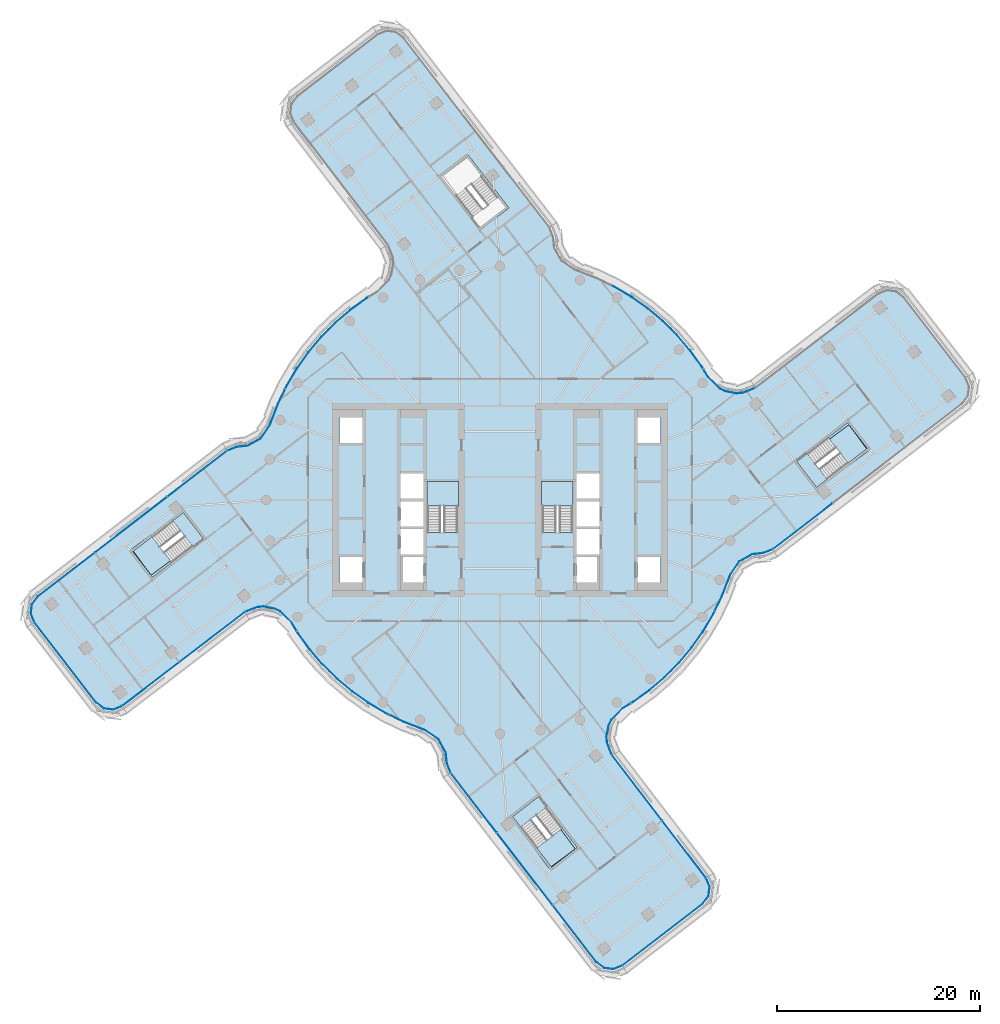
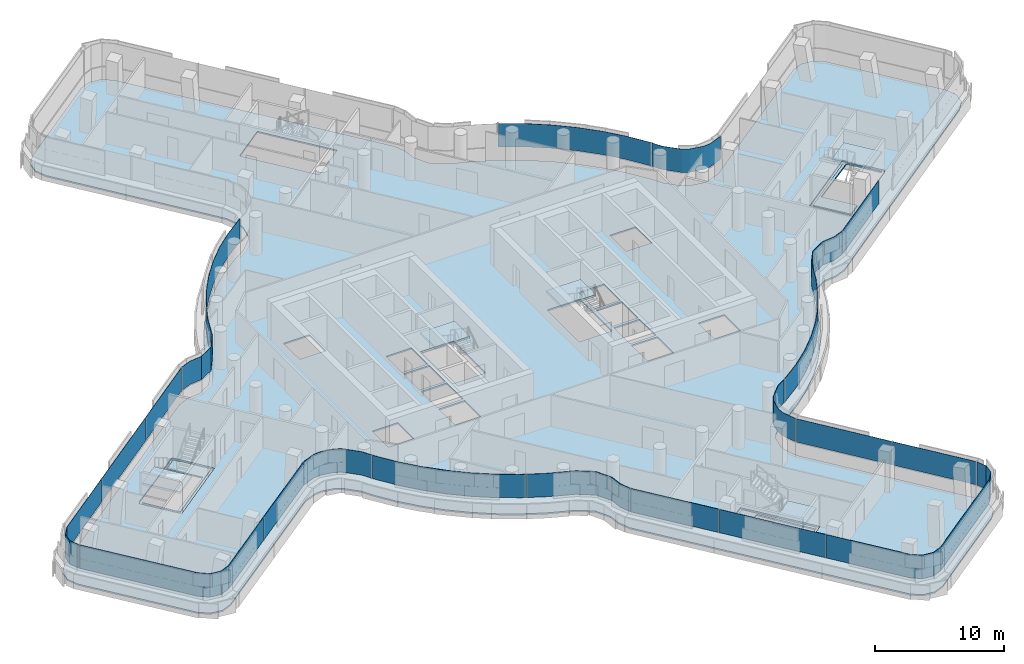
# One storey, part 18 of 33: 23 plates, 9 slabs, 16 elements without a shape of their own.
"""IFC4 building model written with IfcOpenShell, lengths in metres."""

import ifcopenshell
import ifcopenshell.guid

model = None  # the IFC model being written
_history = None  # IfcOwnerHistory: only IFC2X3 demands one
_inside = {}  # id of a spatial element -> (the spatial element, [elements in it])
_under = {}  # id of a project, library or spatial element -> (it, [spatial elements below it])
_declared = {}  # id of a project -> (the project, [libraries it declares])
_typed = {}  # id of a type object -> (the type object, [elements of that type])
_made_of = {}  # id of a material, layer set ... -> (it, [elements and type objects made of it])


def new_model(schema):
    """Start an empty IFC model of exactly this schema.

    Asked for "IFC4X3", IfcOpenShell would pick the latest addendum, in which some entities
    have other attributes; the version numbers below select the first issue.
    IFC2X3 requires an IfcOwnerHistory on every rooted entity: one is made here for all.
    """
    global model, _history
    if schema == "IFC4X3":
        model = ifcopenshell.file(schema_version=(4, 3, 0, 0))
    else:
        model = ifcopenshell.file(schema=schema)
    _inside.clear()
    _under.clear()
    _declared.clear()
    _typed.clear()
    _made_of.clear()
    _history = None
    if model.schema == "IFC2X3":
        org = make("IfcOrganization", Name="unknown")
        user = make(
            "IfcPersonAndOrganization",
            ThePerson=make("IfcPerson", FamilyName="unknown"),
            TheOrganization=org,
        )
        app = make(
            "IfcApplication",
            ApplicationDeveloper=org,
            Version="unknown",
            ApplicationFullName="unknown",
            ApplicationIdentifier="unknown",
        )
        _history = make(
            "IfcOwnerHistory",
            OwningUser=user,
            OwningApplication=app,
            ChangeAction="ADDED",
            CreationDate=0,
        )
    return model


def make(cls, **values):
    """One entity of the class cls with the attributes given. An attribute that is None is left unset."""
    return model.create_entity(
        cls, **{name: value for name, value in values.items() if value is not None}
    )


def rooted(cls, **values):
    """An entity with a GlobalId (a new one), such as an element, a storey or a relation."""
    return make(cls, GlobalId=ifcopenshell.guid.new(), OwnerHistory=_history, **values)


def si_unit(unit_type, name, prefix=None):
    """IfcSIUnit, for example si_unit("LENGTHUNIT", "METRE", prefix="MILLI")."""
    return make("IfcSIUnit", UnitType=unit_type, Prefix=prefix, Name=name)


def assignment(units):
    """IfcUnitAssignment: the units of a project."""
    return None if units is None else make("IfcUnitAssignment", Units=units)


def point(xyz):
    """IfcCartesianPoint."""
    return None if xyz is None else make("IfcCartesianPoint", Coordinates=xyz)


def direction(xyz):
    """IfcDirection."""
    return None if xyz is None else make("IfcDirection", DirectionRatios=xyz)


def frame(location, z_axis=None, x_axis=None):
    """IfcAxis2Placement3D, a coordinate frame: its origin and axes. An axis left out is left unset."""
    return make(
        "IfcAxis2Placement3D",
        Location=point(location),
        Axis=direction(z_axis),
        RefDirection=direction(x_axis),
    )


def origin():
    """The frame at (0, 0, 0) with its axes left unset."""
    return frame((0.0, 0.0, 0.0))


def place(relative_to, where):
    """IfcLocalPlacement: puts the frame where relative to a parent placement (None: the world)."""
    return make(
        "IfcLocalPlacement", PlacementRelTo=relative_to, RelativePlacement=where
    )


def context(
    kind, dimensions, precision=None, world=None, true_north=None, identifier=None
):
    """IfcGeometricRepresentationContext, for example the 3D "Model" context."""
    return make(
        "IfcGeometricRepresentationContext",
        ContextIdentifier=identifier,
        ContextType=kind,
        CoordinateSpaceDimension=dimensions,
        Precision=precision,
        WorldCoordinateSystem=world,
        TrueNorth=true_north,
    )


def subcontext(parent, identifier, kind, view, scale=None):
    """IfcGeometricRepresentationSubContext, for example "Body" below "Model"."""
    return make(
        "IfcGeometricRepresentationSubContext",
        ContextIdentifier=identifier,
        ContextType=kind,
        ParentContext=parent,
        TargetScale=scale,
        TargetView=view,
    )


def project(units=None, contexts=None):
    """IfcProject with its units and contexts."""
    return rooted(
        "IfcProject",
        Name="project",
        RepresentationContexts=contexts,
        UnitsInContext=assignment(units),
    )


def spatial(cls, under=None, at=None, **own):
    """A site, building, storey or space (cls), placed at a placement, below another one or the project."""
    s = rooted(cls, ObjectPlacement=at, **own)
    if under is not None:
        _under.setdefault(under.id(), (under, []))[1].append(s)
    return s


def polyline(points):
    """IfcPolyline through the points."""
    return make("IfcPolyline", Points=[point(p) for p in points])


def outline(outer, holes=None, kind="AREA"):
    """IfcArbitraryClosedProfileDef: a profile drawn as a closed curve; with holes, ...WithVoids."""
    if holes is None:
        return make("IfcArbitraryClosedProfileDef", ProfileType=kind, OuterCurve=outer)
    return make(
        "IfcArbitraryProfileDefWithVoids",
        ProfileType=kind,
        OuterCurve=outer,
        InnerCurves=holes,
    )


def extrude(swept, where, along, depth):
    """IfcExtrudedAreaSolid: the profile swept, set in the frame where, extruded along a direction by depth."""
    return make(
        "IfcExtrudedAreaSolid",
        SweptArea=swept,
        Position=where,
        ExtrudedDirection=direction(along),
        Depth=depth,
    )


def shape(context_of_items, identifier, shape_type, items):
    """IfcShapeRepresentation: the items that make up one representation, for example the "Body"."""
    return make(
        "IfcShapeRepresentation",
        ContextOfItems=context_of_items,
        RepresentationIdentifier=identifier,
        RepresentationType=shape_type,
        Items=items,
    )


def material(Name=None, Category=None):
    """IfcMaterial."""
    return make("IfcMaterial", Name=Name, Category=Category)


def layer(
    of_material, thickness, ventilated=None, Name=None, Category=None, Priority=None
):
    """IfcMaterialLayer: one layer of a wall or slab, of a material (None: an air gap)."""
    return make(
        "IfcMaterialLayer",
        Material=of_material,
        LayerThickness=thickness,
        IsVentilated=ventilated,
        Name=Name,
        Category=Category,
        Priority=Priority,
    )


def layer_set(layers, Name=None):
    """IfcMaterialLayerSet."""
    return make("IfcMaterialLayerSet", MaterialLayers=layers, LayerSetName=Name)


def made_of(thing, what):
    """Note that an element or type object is made of a material, layer set ...; save() writes the relation."""
    if what is not None:
        _made_of.setdefault(what.id(), (what, []))[1].append(thing)
    return thing


def type_object(cls, material=None, **own):
    """A type object (cls), such as IfcWallType, which elements share."""
    return made_of(rooted(cls, **own), material)


def element(
    cls,
    number,
    at=None,
    inside=None,
    cuts=None,
    type_object=None,
    material=None,
    context=None,
    identifier="Body",
    shape_type=None,
    held_by="IfcProductDefinitionShape",
    body=None,
    shapes=None,
    **own,
):
    """One element of the class cls, such as IfcWall. Its Tag is "e" and its number.

    at: its placement. inside: the storey or other place that contains it. cuts: it is an
    opening in that element (IfcRelVoidsElement). A single representation is given by context,
    identifier, shape_type and body (its items); several are given by shapes. held_by: the class
    of the entity that holds the representations. save() writes the other relations.
    """
    e = rooted(cls, Tag="e%d" % number, ObjectPlacement=at, **own)
    if body is not None:
        shapes = [shape(context, identifier, shape_type, body)]
    if shapes is not None:
        e.Representation = make(held_by, Representations=shapes)
    if inside is not None:
        _inside.setdefault(inside.id(), (inside, []))[1].append(e)
    if cuts is not None:
        rooted(
            "IfcRelVoidsElement", RelatingBuildingElement=cuts, RelatedOpeningElement=e
        )
    if type_object is not None:
        _typed.setdefault(type_object.id(), (type_object, []))[1].append(e)
    return made_of(e, material)


def aggregate(whole, parts):
    """IfcRelAggregates: a whole, such as a stair, and the parts it consists of."""
    return rooted("IfcRelAggregates", RelatingObject=whole, RelatedObjects=parts)


def save(model, path):
    """Write the relations noted so far, then the file.

    IfcRelAggregates (storeys below a building ...), IfcRelContainedInSpatialStructure (elements
    in a storey), IfcRelDefinesByType, IfcRelAssociatesMaterial and IfcRelDeclares: one each for
    every whole, place, type object, material and project.
    """
    for whole, parts in _under.values():
        aggregate(whole, parts)
    for where, things in _inside.values():
        rooted(
            "IfcRelContainedInSpatialStructure",
            RelatedElements=things,
            RelatingStructure=where,
        )
    for kind, things in _typed.values():
        rooted("IfcRelDefinesByType", RelatedObjects=things, RelatingType=kind)
    for what, things in _made_of.values():
        rooted("IfcRelAssociatesMaterial", RelatedObjects=things, RelatingMaterial=what)
    for by, libraries in _declared.values():
        rooted("IfcRelDeclares", RelatingContext=by, RelatedDefinitions=libraries)
    model.write(path)


model = new_model("IFC4")

# Units and contexts
model_context = context("Model", 3, precision=1e-05, world=origin(), true_north=direction((0.0, 1.0)))
body_context = subcontext(model_context, "Body", "Model", "MODEL_VIEW")
ifc_project = project(units=[si_unit("LENGTHUNIT", "METRE"), si_unit("AREAUNIT", "SQUARE_METRE"), si_unit("VOLUMEUNIT", "CUBIC_METRE"), si_unit("PLANEANGLEUNIT", "RADIAN"), si_unit("MASSUNIT", "GRAM", prefix="KILO")], contexts=[model_context])

# Site, building, storey
site_placement = place(None, origin())
site = spatial("IfcSite", under=ifc_project, at=site_placement, CompositionType="ELEMENT")
building_placement = place(site_placement, origin())
building = spatial("IfcBuilding", under=site, at=building_placement, Name="Tamarind Cross Interchange Tower", CompositionType="ELEMENT")
storey_placement = place(building_placement, frame((0.0, 0.0, 170.5)))
storey = spatial("IfcBuildingStorey", under=building, at=storey_placement, Name="L42", CompositionType="ELEMENT", Elevation=170.5)

# Slabs
ifc_material_1 = material(Name="Concrete C35", Category="concrete")
ifc_layer_1 = layer(ifc_material_1, 0.139892578125)
ifc_layer_set_1 = layer_set([ifc_layer_1], Name="Concrete C35")
slab_type_1 = type_object("IfcSlabType", Name="Composite slab 140 Concrete C35", PredefinedType="FLOOR", material=ifc_layer_set_1)
slab_1_placement = place(storey_placement, frame((0.0, 0.0, -0.139892578125)))
element("IfcSlab", 1, at=slab_1_placement, inside=storey, type_object=slab_type_1, Name="Floor slab L42", PredefinedType="FLOOR", context=body_context, shape_type="SweptSolid", body=[
    extrude(outline(polyline([(25.94921875, -5.421142578125), (26.9580078125, -5.016845703125), (45.59814453125, 9.3447265625), (46.226806640625, 10.167236328125), (46.35986328125, 11.194091796875), (45.9619140625, 12.149658203125), (39.858642578125, 20.0712890625), (39.035888671875, 20.699951171875), (38.00927734375, 20.8330078125), (37.0537109375, 20.434814453125), (24.99072265625, 11.1904296875), (23.833984375, 10.7353515625), (23.291748046875, 10.684814453125), (22.210693359375, 10.890869140625), (21.72509765625, 11.1376953125), (20.641845703125, 12.2041015625), (20.031982421875, 13.2109375), (18.87255859375, 14.820068359375), (17.584228515625, 16.327880859375), (16.17578125, 17.72412109375), (14.656982421875, 18.99951171875), (13.0380859375, 20.14501953125), (11.329833984375, 21.15283203125), (9.54443359375, 22.01611328125), (7.428955078125, 22.83642578125), (6.1923828125, 23.67529296875), (5.53466796875, 24.8837890625), (5.421142578125, 25.94921875), (5.016845703125, 26.9580078125), (-9.3447265625, 45.59814453125), (-10.167236328125, 46.226806640625), (-11.194091796875, 46.35986328125), (-12.149658203125, 45.9619140625), (-20.0712890625, 39.858642578125), (-20.699951171875, 39.035888671875), (-20.8330078125, 38.00927734375), (-20.434814453125, 37.0537109375), (-11.1904296875, 24.99072265625), (-10.7353515625, 23.833984375), (-10.684814453125, 23.291748046875), (-10.890869140625, 22.210693359375), (-11.1376953125, 21.72509765625), (-12.2041015625, 20.641845703125), (-13.2109375, 20.031982421875), (-14.820068359375, 18.87255859375), (-16.327880859375, 17.584228515625), (-17.72412109375, 16.17578125), (-18.99951171875, 14.656982421875), (-20.14501953125, 13.0380859375), (-21.15283203125, 11.329833984375), (-22.01611328125, 9.54443359375), (-22.83642578125, 7.428955078125), (-23.67529296875, 6.1923828125), (-24.8837890625, 5.53466796875), (-25.94921875, 5.421142578125), (-26.9580078125, 5.016845703125), (-45.59814453125, -9.3447265625), (-46.226806640625, -10.167236328125), (-46.35986328125, -11.194091796875), (-45.9619140625, -12.149658203125), (-39.858642578125, -20.0712890625), (-39.035888671875, -20.699951171875), (-38.00927734375, -20.8330078125), (-37.0537109375, -20.434814453125), (-24.99072265625, -11.1904296875), (-23.833984375, -10.7353515625), (-23.291748046875, -10.684814453125), (-22.210693359375, -10.890869140625), (-21.72509765625, -11.1376953125), (-20.641845703125, -12.2041015625), (-20.031982421875, -13.2109375), (-18.87255859375, -14.820068359375), (-17.584228515625, -16.327880859375), (-16.17578125, -17.72412109375), (-14.656982421875, -18.99951171875), (-13.0380859375, -20.14501953125), (-11.329833984375, -21.15283203125), (-9.54443359375, -22.01611328125), (-7.428955078125, -22.83642578125), (-6.1923828125, -23.67529296875), (-5.53466796875, -24.8837890625), (-5.421142578125, -25.94921875), (-5.016845703125, -26.9580078125), (9.3447265625, -45.59814453125), (10.167236328125, -46.226806640625), (11.194091796875, -46.35986328125), (12.149658203125, -45.9619140625), (20.0712890625, -39.858642578125), (20.699951171875, -39.035888671875), (20.8330078125, -38.00927734375), (20.434814453125, -37.0537109375), (11.1904296875, -24.99072265625), (10.7353515625, -23.833984375), (10.684814453125, -23.291748046875), (10.890869140625, -22.210693359375), (11.1376953125, -21.72509765625), (12.2041015625, -20.641845703125), (13.2109375, -20.031982421875), (14.820068359375, -18.87255859375), (16.327880859375, -17.584228515625), (17.72412109375, -16.17578125), (18.99951171875, -14.656982421875), (20.14501953125, -13.0380859375), (21.15283203125, -11.329833984375), (22.01611328125, -9.54443359375), (22.83642578125, -7.428955078125), (23.67529296875, -6.1923828125), (24.8837890625, -5.53466796875), (25.94921875, -5.421142578125)]), holes=[polyline([(-7.5, -8.125), (-9.800048828125, -8.125), (-9.800048828125, -5.625), (-7.5, -5.625), (-7.5, -8.125)]), polyline([(-13.5, -8.125), (-15.800048828125, -8.125), (-15.800048828125, -5.625), (-13.5, -5.625), (-13.5, -8.125)]), polyline([(-34.218505859375, -7.899169921875), (-34.3408203125, -7.74072265625), (-36.293701171875, -5.205810546875), (-36.415771484375, -5.04736328125), (-36.18994140625, -4.873291015625), (-36.2255859375, -4.8251953125), (-33.58349609375, -2.865234375), (-31.1083984375, -0.958251953125), (-30.986328125, -1.11669921875), (-29.033203125, -3.651611328125), (-28.9111328125, -3.809814453125), (-34.218505859375, -7.899169921875)]), polyline([(-7.5, -5.375), (-9.800048828125, -5.375), (-9.800048828125, -2.875), (-7.5, -2.875), (-7.5, -5.375)]), polyline([(-7.5, -2.625), (-9.800048828125, -2.625), (-9.800048828125, -0.125), (-7.5, -0.125), (-7.5, -2.625)]), polyline([(-4.199951171875, 1.800048828125), (-4.199951171875, -3.18798828125), (-7.14990234375, -3.18798828125), (-7.14990234375, 1.800048828125), (-4.199951171875, 1.800048828125)]), polyline([(-7.5, 0.125), (-9.800048828125, 0.125), (-9.800048828125, 2.625), (-7.5, 2.625), (-7.5, 0.125)]), polyline([(-13.5, 5.625), (-15.800048828125, 5.625), (-15.800048828125, 8.125), (-13.5, 8.125), (-13.5, 5.625)]), polyline([(0.872802734375, 28.73193359375), (0.71435546875, 28.60986328125), (-1.820556640625, 26.65673828125), (-1.97900390625, 26.53466796875), (-6.068115234375, 31.842041015625), (-5.90966796875, 31.964111328125), (-3.374755859375, 33.917236328125), (-3.21630859375, 34.039306640625), (-3.0419921875, 33.81298828125), (-3.037841796875, 33.816162109375), (-2.865234375, 33.58349609375), (0.872802734375, 28.73193359375)]), polyline([(7.899169921875, -34.218505859375), (7.74072265625, -34.3408203125), (5.205810546875, -36.293701171875), (5.04736328125, -36.415771484375), (4.873291015625, -36.18994140625), (4.8251953125, -36.2255859375), (2.865234375, -33.58349609375), (0.958251953125, -31.1083984375), (1.11669921875, -30.986328125), (3.651611328125, -29.033203125), (3.809814453125, -28.9111328125), (7.899169921875, -34.218505859375)]), polyline([(13.5, -5.625), (15.800048828125, -5.625), (15.800048828125, -8.125), (13.5, -8.125), (13.5, -5.625)]), polyline([(7.5, -5.625), (9.800048828125, -5.625), (9.800048828125, -8.125), (7.5, -8.125), (7.5, -5.625)]), polyline([(7.5, -2.875), (9.800048828125, -2.875), (9.800048828125, -5.375), (7.5, -5.375), (7.5, -2.875)]), polyline([(7.5, -0.125), (9.800048828125, -0.125), (9.800048828125, -2.625), (7.5, -2.625), (7.5, -0.125)]), polyline([(7.14990234375, 1.800048828125), (7.14990234375, -3.18798828125), (4.199951171875, -3.18798828125), (4.199951171875, 1.800048828125), (7.14990234375, 1.800048828125)]), polyline([(7.5, 2.625), (9.800048828125, 2.625), (9.800048828125, 0.125), (7.5, 0.125), (7.5, 2.625)]), polyline([(34.218505859375, 7.899169921875), (34.3408203125, 7.74072265625), (36.293701171875, 5.205810546875), (36.415771484375, 5.04736328125), (36.18994140625, 4.873291015625), (36.2255859375, 4.8251953125), (33.58349609375, 2.865234375), (31.1083984375, 0.958251953125), (30.986328125, 1.11669921875), (29.033203125, 3.651611328125), (28.9111328125, 3.809814453125), (34.218505859375, 7.899169921875)]), polyline([(15.800048828125, 8.125), (15.800048828125, 5.625), (13.5, 5.625), (13.5, 8.125), (15.800048828125, 8.125)])]), origin(), (0.0, 0.0, 1.0), 0.139892578125),
])
slab_2_placement = place(storey_placement, frame((0.0, 0.0, -0.139892578125)))
element("IfcSlab", 2, at=slab_2_placement, inside=storey, type_object=slab_type_1, Name="Floor slab L42", PredefinedType="FLOOR", context=body_context, shape_type="SweptSolid", body=[
    extrude(outline(polyline([(-29.191650390625, -3.773681640625), (-31.144775390625, -1.23876953125), (-32.118896484375, -1.9892578125), (-32.18408203125, -2.039306640625), (-30.334716796875, -4.439697265625), (-34.319091796875, -7.395263671875), (-36.07080078125, -5.033935546875), (-36.13525390625, -5.083740234375), (-34.18212890625, -7.61865234375), (-29.191650390625, -3.773681640625)])), origin(), (0.0, 0.0, 1.0), 0.139892578125),
])
slab_3_placement = place(storey_placement, frame((0.0, 0.0, -0.139892578125)))
element("IfcSlab", 3, at=slab_3_placement, inside=storey, type_object=slab_type_1, Name="Floor slab L42", PredefinedType="FLOOR", context=body_context, shape_type="SweptSolid", body=[
    extrude(outline(polyline([(3.773681640625, -29.191650390625), (1.23876953125, -31.144775390625), (1.9892578125, -32.118896484375), (2.039306640625, -32.18408203125), (4.439697265625, -30.334716796875), (7.395263671875, -34.319091796875), (5.033935546875, -36.07080078125), (5.083740234375, -36.13525390625), (7.61865234375, -34.18212890625), (3.773681640625, -29.191650390625)])), origin(), (0.0, 0.0, 1.0), 0.139892578125),
])
slab_4_placement = place(storey_placement, frame((0.0, 0.0, -0.139892578125)))
element("IfcSlab", 4, at=slab_4_placement, inside=storey, type_object=slab_type_1, Name="Floor slab L42", PredefinedType="FLOOR", context=body_context, shape_type="SweptSolid", body=[
    extrude(outline(polyline([(29.191650390625, 3.773681640625), (31.144775390625, 1.23876953125), (32.118896484375, 1.9892578125), (32.18408203125, 2.039306640625), (30.334716796875, 4.439697265625), (34.319091796875, 7.395263671875), (36.07080078125, 5.033935546875), (36.13525390625, 5.083740234375), (34.18212890625, 7.61865234375), (29.191650390625, 3.773681640625)])), origin(), (0.0, 0.0, 1.0), 0.139892578125),
])

# Stair, slab
ifc_material_2 = material(Name="Exit stair")
stair_type = type_object("IfcStairType", Name="Exit stair", PredefinedType="HALF_TURN_STAIR", material=ifc_material_2)
stair_1_placement = place(storey_placement, origin())
stair_1 = element("IfcStair", 5, at=stair_1_placement, inside=storey, type_object=stair_type, Name="L42 exit stair ST1", PredefinedType="HALF_TURN_STAIR")
ifc_material_3 = material(Name="Concrete C40", Category="concrete")
ifc_layer_2 = layer(ifc_material_3, 0.199951171875)
ifc_layer_set_2 = layer_set([ifc_layer_2], Name="Concrete C40")
slab_type_2 = type_object("IfcSlabType", Name="Stair landing", PredefinedType="LANDING", material=ifc_layer_set_2)
slab_5_placement = place(storey_placement, frame((0.0, 0.0, 1.675048828125)))
slab_5 = element("IfcSlab", 6, at=slab_5_placement, type_object=slab_type_2, Name="ST1 landing 1", PredefinedType="LANDING", context=body_context, shape_type="SweptSolid", body=[
    extrude(outline(polyline([(-4.10009765625, -0.60009765625), (-4.10009765625, 1.800048828125), (-7.199951171875, 1.800048828125), (-7.199951171875, -0.60009765625), (-4.10009765625, -0.60009765625)])), origin(), (0.0, 0.0, 1.0), 0.199951171875),
])
aggregate(stair_1, [slab_5])

stair_2_placement = place(storey_placement, origin())
stair_2 = element("IfcStair", 7, at=stair_2_placement, inside=storey, type_object=stair_type, Name="L42 exit stair ST2", PredefinedType="HALF_TURN_STAIR")
slab_6_placement = place(storey_placement, frame((0.0, 0.0, 1.675048828125)))
slab_6 = element("IfcSlab", 8, at=slab_6_placement, type_object=slab_type_2, Name="ST2 landing 1", PredefinedType="LANDING", context=body_context, shape_type="SweptSolid", body=[
    extrude(outline(polyline([(7.199951171875, -0.60009765625), (7.199951171875, 1.800048828125), (4.10009765625, 1.800048828125), (4.10009765625, -0.60009765625), (7.199951171875, -0.60009765625)])), origin(), (0.0, 0.0, 1.0), 0.199951171875),
])
aggregate(stair_2, [slab_6])

stair_3_placement = place(storey_placement, origin())
stair_3 = element("IfcStair", 9, at=stair_3_placement, inside=storey, type_object=stair_type, Name="L42 exit stair ST3", PredefinedType="HALF_TURN_STAIR")
slab_7_placement = place(storey_placement, frame((0.0, 0.0, 1.675048828125)))
slab_7 = element("IfcSlab", 10, at=slab_7_placement, type_object=slab_type_2, Name="ST3 landing 1", PredefinedType="LANDING", context=body_context, shape_type="SweptSolid", body=[
    extrude(outline(polyline([(34.224609375, 3.611572265625), (36.13525390625, 5.083740234375), (34.18212890625, 7.61865234375), (32.271484375, 6.146484375), (34.224609375, 3.611572265625)])), origin(), (0.0, 0.0, 1.0), 0.199951171875),
])
aggregate(stair_3, [slab_7])

stair_4_placement = place(storey_placement, origin())
stair_4 = element("IfcStair", 11, at=stair_4_placement, inside=storey, type_object=stair_type, Name="L42 exit stair ST5", PredefinedType="HALF_TURN_STAIR")
slab_8_placement = place(storey_placement, frame((0.0, 0.0, 1.675048828125)))
slab_8 = element("IfcSlab", 12, at=slab_8_placement, type_object=slab_type_2, Name="ST5 landing 1", PredefinedType="LANDING", context=body_context, shape_type="SweptSolid", body=[
    extrude(outline(polyline([(-34.224609375, -3.611572265625), (-36.13525390625, -5.083740234375), (-34.18212890625, -7.61865234375), (-32.271484375, -6.146484375), (-34.224609375, -3.611572265625)])), origin(), (0.0, 0.0, 1.0), 0.199951171875),
])
aggregate(stair_4, [slab_8])

stair_5_placement = place(storey_placement, origin())
stair_5 = element("IfcStair", 13, at=stair_5_placement, inside=storey, type_object=stair_type, Name="L42 exit stair ST6", PredefinedType="HALF_TURN_STAIR")
slab_9_placement = place(storey_placement, frame((0.0, 0.0, 1.675048828125)))
slab_9 = element("IfcSlab", 14, at=slab_9_placement, type_object=slab_type_2, Name="ST6 landing 1", PredefinedType="LANDING", context=body_context, shape_type="SweptSolid", body=[
    extrude(outline(polyline([(3.611572265625, -34.224609375), (5.083740234375, -36.13525390625), (7.61865234375, -34.18212890625), (6.146484375, -32.271484375), (3.611572265625, -34.224609375)])), origin(), (0.0, 0.0, 1.0), 0.199951171875),
])
aggregate(stair_5, [slab_9])

# Curtain wall, plates
ifc_material_4 = material(Name="Aluminium 6063-T6", Category="aluminium")
ifc_layer_3 = layer(ifc_material_4, 0.159912109375)
ifc_layer_set_3 = layer_set([ifc_layer_3], Name="Aluminium 6063-T6")
curtain_wall_type = type_object("IfcCurtainWallType", Name="Office curtain wall, 9.0 m bays", PredefinedType="NOTDEFINED", material=ifc_layer_set_3)
curtain_wall_1_placement = place(storey_placement, origin())
curtain_wall_1 = element("IfcCurtainWall", 15, at=curtain_wall_1_placement, inside=storey, type_object=curtain_wall_type, Name="CWS-L42-02", PredefinedType="NOTDEFINED")
ifc_material_5 = material(Name="Laminated low-e glass 8+1.52+8", Category="glass")
ifc_layer_4 = layer(ifc_material_5, 0.028076171875)
ifc_layer_set_4 = layer_set([ifc_layer_4], Name="Laminated low-e glass 8+1.52+8")
plate_type = type_object("IfcPlateType", Name="Vision panel CW1", PredefinedType="CURTAIN_PANEL", material=ifc_layer_set_4)
plate_1_placement = place(storey_placement, frame((0.0, 0.0, 1.39990234375)))
plate_1 = element("IfcPlate", 16, at=plate_1_placement, type_object=plate_type, Name="CWP-L42-02-00", PredefinedType="CURTAIN_PANEL", context=body_context, shape_type="SweptSolid", body=[
    extrude(outline(polyline([(25.0673828125, 10.99072265625), (23.88427734375, 10.525146484375), (23.281494140625, 10.46875), (22.140869140625, 10.6865234375), (21.5986328125, 10.9619140625), (20.47265625, 12.0703125), (19.9931640625, 12.862060546875), (20.01708984375, 12.87646484375), (20.49462890625, 12.087890625), (21.614990234375, 10.98486328125), (22.14990234375, 10.713134765625), (23.28271484375, 10.4970703125), (23.877685546875, 10.552734375), (25.05712890625, 11.0166015625), (25.0673828125, 10.99072265625)])), origin(), (0.0, 0.0, 1.0), 2.210205078125),
])
plate_2_placement = place(storey_placement, frame((0.0, 0.0, 1.39990234375)))
plate_2 = element("IfcPlate", 17, at=plate_2_placement, type_object=plate_type, Name="CWP-L42-02-01", PredefinedType="CURTAIN_PANEL", context=body_context, shape_type="SweptSolid", body=[
    extrude(outline(polyline([(19.9619140625, 12.913330078125), (19.853271484375, 13.0927734375), (18.7041015625, 14.687744140625), (17.42724609375, 16.18212890625), (16.031494140625, 17.56591796875), (14.526123046875, 18.829833984375), (12.921630859375, 19.965087890625), (11.228759765625, 20.9638671875), (10.94482421875, 21.101318359375), (10.95703125, 21.12646484375), (11.241943359375, 20.98876953125), (12.936767578125, 19.988525390625), (14.543212890625, 18.85205078125), (16.05029296875, 17.586669921875), (17.44775390625, 16.201171875), (18.72607421875, 14.705078125), (19.876708984375, 13.108154296875), (19.98583984375, 12.927978515625), (19.9619140625, 12.913330078125)])), origin(), (0.0, 0.0, 1.0), 2.210205078125),
])
aggregate(curtain_wall_1, [plate_1, plate_2])

curtain_wall_2_placement = place(storey_placement, origin())
curtain_wall_2 = element("IfcCurtainWall", 18, at=curtain_wall_2_placement, inside=storey, type_object=curtain_wall_type, Name="CWS-L42-06", PredefinedType="NOTDEFINED")
plate_3_placement = place(storey_placement, frame((0.0, 0.0, 1.39990234375)))
plate_3 = element("IfcPlate", 19, at=plate_3_placement, type_object=plate_type, Name="CWP-L42-06-01", PredefinedType="CURTAIN_PANEL", context=body_context, shape_type="SweptSolid", body=[
    extrude(outline(polyline([(-12.913330078125, 19.9619140625), (-13.0927734375, 19.853271484375), (-14.687744140625, 18.7041015625), (-16.18212890625, 17.42724609375), (-17.56591796875, 16.031494140625), (-18.829833984375, 14.526123046875), (-19.965087890625, 12.921630859375), (-20.9638671875, 11.228759765625), (-21.101318359375, 10.94482421875), (-21.12646484375, 10.95703125), (-20.98876953125, 11.241943359375), (-19.988525390625, 12.936767578125), (-18.85205078125, 14.543212890625), (-17.586669921875, 16.05029296875), (-16.201171875, 17.44775390625), (-14.705078125, 18.72607421875), (-13.108154296875, 19.876708984375), (-12.927978515625, 19.98583984375), (-12.913330078125, 19.9619140625)])), origin(), (0.0, 0.0, 1.0), 2.210205078125),
])
plate_4_placement = place(storey_placement, frame((0.0, 0.0, 1.39990234375)))
plate_4 = element("IfcPlate", 20, at=plate_4_placement, type_object=plate_type, Name="CWP-L42-06-02", PredefinedType="CURTAIN_PANEL", context=body_context, shape_type="SweptSolid", body=[
    extrude(outline(polyline([(-21.12744140625, 10.890869140625), (-21.81982421875, 9.458984375), (-22.645751953125, 7.328857421875), (-23.52734375, 6.029296875), (-24.81884765625, 5.326416015625), (-25.89697265625, 5.211669921875), (-26.82470703125, 4.839599609375), (-26.835205078125, 4.86572265625), (-25.90380859375, 5.239013671875), (-24.827392578125, 5.353759765625), (-23.546630859375, 6.05078125), (-22.670654296875, 7.342041015625), (-21.845458984375, 9.47021484375), (-21.152587890625, 10.903076171875), (-21.12744140625, 10.890869140625)])), origin(), (0.0, 0.0, 1.0), 2.210205078125),
])
aggregate(curtain_wall_2, [plate_3, plate_4])

curtain_wall_3_placement = place(storey_placement, origin())
curtain_wall_3 = element("IfcCurtainWall", 21, at=curtain_wall_3_placement, inside=storey, type_object=curtain_wall_type, Name="CWS-L42-07", PredefinedType="NOTDEFINED")
plate_5_placement = place(storey_placement, frame((0.0, 0.0, 1.39990234375)))
plate_5 = element("IfcPlate", 22, at=plate_5_placement, type_object=plate_type, Name="CWP-L42-07-00", PredefinedType="CURTAIN_PANEL", context=body_context, shape_type="SweptSolid", body=[
    extrude(outline(polyline([(-26.873046875, 4.81201171875), (-32.701171875, 0.32177734375), (-32.71826171875, 0.343994140625), (-26.89013671875, 4.834228515625), (-26.873046875, 4.81201171875)])), origin(), (0.0, 0.0, 1.0), 2.210205078125),
])
plate_6_placement = place(storey_placement, frame((0.0, 0.0, 1.39990234375)))
plate_6 = element("IfcPlate", 23, at=plate_6_placement, type_object=plate_type, Name="CWP-L42-07-01", PredefinedType="CURTAIN_PANEL", context=body_context, shape_type="SweptSolid", body=[
    extrude(outline(polyline([(-32.748779296875, 0.28515625), (-39.814208984375, -5.158447265625), (-39.831298828125, -5.136474609375), (-32.765869140625, 0.307373046875), (-32.748779296875, 0.28515625)])), origin(), (0.0, 0.0, 1.0), 2.210205078125),
])
plate_7_placement = place(storey_placement, frame((0.0, 0.0, 1.39990234375)))
plate_7 = element("IfcPlate", 24, at=plate_7_placement, type_object=plate_type, Name="CWP-L42-07-02", PredefinedType="CURTAIN_PANEL", context=body_context, shape_type="SweptSolid", body=[
    extrude(outline(polyline([(-39.861572265625, -5.195068359375), (-45.4453125, -9.4970703125), (-46.02197265625, -10.251708984375), (-46.140380859375, -11.16455078125), (-45.785888671875, -12.015380859375), (-45.811767578125, -12.026123046875), (-46.1689453125, -11.16845703125), (-46.048828125, -10.24072265625), (-45.46533203125, -9.47705078125), (-39.878662109375, -5.173095703125), (-39.861572265625, -5.195068359375)])), origin(), (0.0, 0.0, 1.0), 2.210205078125),
])
aggregate(curtain_wall_3, [plate_5, plate_6, plate_7])

# Curtain wall, plate
curtain_wall_4_placement = place(storey_placement, origin())
curtain_wall_4 = element("IfcCurtainWall", 25, at=curtain_wall_4_placement, inside=storey, type_object=curtain_wall_type, Name="CWS-L42-08", PredefinedType="NOTDEFINED")
plate_8_placement = place(storey_placement, frame((0.0, 0.0, 1.39990234375)))
plate_8 = element("IfcPlate", 26, at=plate_8_placement, type_object=plate_type, Name="CWP-L42-08-00", PredefinedType="CURTAIN_PANEL", context=body_context, shape_type="SweptSolid", body=[
    extrude(outline(polyline([(-45.7578125, -12.063720703125), (-39.706298828125, -19.918212890625), (-38.95166015625, -20.4951171875), (-38.03857421875, -20.61328125), (-37.187744140625, -20.2587890625), (-37.177001953125, -20.28466796875), (-38.034912109375, -20.64208984375), (-38.962646484375, -20.521728515625), (-39.726318359375, -19.938232421875), (-45.780029296875, -12.080810546875), (-45.7578125, -12.063720703125)])), origin(), (0.0, 0.0, 1.0), 2.210205078125),
])
aggregate(curtain_wall_4, [plate_8])

# Curtain wall, plates
curtain_wall_5_placement = place(storey_placement, origin())
curtain_wall_5 = element("IfcCurtainWall", 27, at=curtain_wall_5_placement, inside=storey, type_object=curtain_wall_type, Name="CWS-L42-09", PredefinedType="NOTDEFINED")
plate_9_placement = place(storey_placement, frame((0.0, 0.0, 1.39990234375)))
plate_9 = element("IfcPlate", 28, at=plate_9_placement, type_object=plate_type, Name="CWP-L42-09-00", PredefinedType="CURTAIN_PANEL", context=body_context, shape_type="SweptSolid", body=[
    extrude(outline(polyline([(-37.139404296875, -20.23095703125), (-31.553466796875, -15.9501953125), (-31.536376953125, -15.972412109375), (-37.122314453125, -20.253173828125), (-37.139404296875, -20.23095703125)])), origin(), (0.0, 0.0, 1.0), 2.210205078125),
])
plate_10_placement = place(storey_placement, frame((0.0, 0.0, 1.39990234375)))
plate_10 = element("IfcPlate", 29, at=plate_10_placement, type_object=plate_type, Name="CWP-L42-09-01", PredefinedType="CURTAIN_PANEL", context=body_context, shape_type="SweptSolid", body=[
    extrude(outline(polyline([(-31.505615234375, -15.91357421875), (-25.12255859375, -11.021728515625), (-25.10546875, -11.0439453125), (-31.48876953125, -15.935791015625), (-31.505615234375, -15.91357421875)])), origin(), (0.0, 0.0, 1.0), 2.210205078125),
])
aggregate(curtain_wall_5, [plate_9, plate_10])

curtain_wall_6_placement = place(storey_placement, origin())
curtain_wall_6 = element("IfcCurtainWall", 30, at=curtain_wall_6_placement, inside=storey, type_object=curtain_wall_type, Name="CWS-L42-10", PredefinedType="NOTDEFINED")
plate_11_placement = place(storey_placement, frame((0.0, 0.0, 1.39990234375)))
plate_11 = element("IfcPlate", 31, at=plate_11_placement, type_object=plate_type, Name="CWP-L42-10-00", PredefinedType="CURTAIN_PANEL", context=body_context, shape_type="SweptSolid", body=[
    extrude(outline(polyline([(-25.0673828125, -10.99072265625), (-23.88427734375, -10.525146484375), (-23.281494140625, -10.46875), (-22.140869140625, -10.6865234375), (-21.5986328125, -10.9619140625), (-20.47265625, -12.0703125), (-19.9931640625, -12.862060546875), (-20.01708984375, -12.87646484375), (-20.49462890625, -12.087890625), (-21.614990234375, -10.98486328125), (-22.14990234375, -10.713134765625), (-23.28271484375, -10.4970703125), (-23.877685546875, -10.552734375), (-25.05712890625, -11.0166015625), (-25.0673828125, -10.99072265625)])), origin(), (0.0, 0.0, 1.0), 2.210205078125),
])
plate_12_placement = place(storey_placement, frame((0.0, 0.0, 1.39990234375)))
plate_12 = element("IfcPlate", 32, at=plate_12_placement, type_object=plate_type, Name="CWP-L42-10-01", PredefinedType="CURTAIN_PANEL", context=body_context, shape_type="SweptSolid", body=[
    extrude(outline(polyline([(-19.9619140625, -12.913330078125), (-19.853271484375, -13.0927734375), (-18.7041015625, -14.687744140625), (-17.42724609375, -16.18212890625), (-16.031494140625, -17.56591796875), (-14.526123046875, -18.829833984375), (-12.921630859375, -19.965087890625), (-11.228759765625, -20.9638671875), (-10.94482421875, -21.101318359375), (-10.95703125, -21.12646484375), (-11.241943359375, -20.98876953125), (-12.936767578125, -19.988525390625), (-14.543212890625, -18.85205078125), (-16.05029296875, -17.586669921875), (-17.44775390625, -16.201171875), (-18.72607421875, -14.705078125), (-19.876708984375, -13.108154296875), (-19.98583984375, -12.927978515625), (-19.9619140625, -12.913330078125)])), origin(), (0.0, 0.0, 1.0), 2.210205078125),
])
plate_13_placement = place(storey_placement, frame((0.0, 0.0, 1.39990234375)))
plate_13 = element("IfcPlate", 33, at=plate_13_placement, type_object=plate_type, Name="CWP-L42-10-02", PredefinedType="CURTAIN_PANEL", context=body_context, shape_type="SweptSolid", body=[
    extrude(outline(polyline([(-10.890869140625, -21.12744140625), (-9.458984375, -21.81982421875), (-7.328857421875, -22.645751953125), (-6.029296875, -23.52734375), (-5.326416015625, -24.81884765625), (-5.211669921875, -25.89697265625), (-4.839599609375, -26.82470703125), (-4.86572265625, -26.835205078125), (-5.239013671875, -25.90380859375), (-5.353759765625, -24.827392578125), (-6.05078125, -23.546630859375), (-7.342041015625, -22.670654296875), (-9.47021484375, -21.845458984375), (-10.903076171875, -21.152587890625), (-10.890869140625, -21.12744140625)])), origin(), (0.0, 0.0, 1.0), 2.210205078125),
])
aggregate(curtain_wall_6, [plate_11, plate_12, plate_13])

curtain_wall_7_placement = place(storey_placement, origin())
curtain_wall_7 = element("IfcCurtainWall", 34, at=curtain_wall_7_placement, inside=storey, type_object=curtain_wall_type, Name="CWS-L42-11", PredefinedType="NOTDEFINED")
plate_14_placement = place(storey_placement, frame((0.0, 0.0, 1.39990234375)))
plate_14 = element("IfcPlate", 35, at=plate_14_placement, type_object=plate_type, Name="CWP-L42-11-00", PredefinedType="CURTAIN_PANEL", context=body_context, shape_type="SweptSolid", body=[
    extrude(outline(polyline([(-4.81201171875, -26.873046875), (-0.32177734375, -32.701171875), (-0.343994140625, -32.71826171875), (-4.834228515625, -26.89013671875), (-4.81201171875, -26.873046875)])), origin(), (0.0, 0.0, 1.0), 2.210205078125),
])
plate_15_placement = place(storey_placement, frame((0.0, 0.0, 1.39990234375)))
plate_15 = element("IfcPlate", 36, at=plate_15_placement, type_object=plate_type, Name="CWP-L42-11-01", PredefinedType="CURTAIN_PANEL", context=body_context, shape_type="SweptSolid", body=[
    extrude(outline(polyline([(-0.28515625, -32.748779296875), (5.158447265625, -39.814208984375), (5.136474609375, -39.831298828125), (-0.307373046875, -32.765869140625), (-0.28515625, -32.748779296875)])), origin(), (0.0, 0.0, 1.0), 2.210205078125),
])
plate_16_placement = place(storey_placement, frame((0.0, 0.0, 1.39990234375)))
plate_16 = element("IfcPlate", 37, at=plate_16_placement, type_object=plate_type, Name="CWP-L42-11-02", PredefinedType="CURTAIN_PANEL", context=body_context, shape_type="SweptSolid", body=[
    extrude(outline(polyline([(5.195068359375, -39.861572265625), (9.4970703125, -45.4453125), (10.251708984375, -46.02197265625), (11.16455078125, -46.140380859375), (12.015380859375, -45.785888671875), (12.026123046875, -45.811767578125), (11.16845703125, -46.1689453125), (10.24072265625, -46.048828125), (9.47705078125, -45.46533203125), (5.173095703125, -39.878662109375), (5.195068359375, -39.861572265625)])), origin(), (0.0, 0.0, 1.0), 2.210205078125),
])
aggregate(curtain_wall_7, [plate_14, plate_15, plate_16])

# Curtain wall, plate
curtain_wall_8_placement = place(storey_placement, origin())
curtain_wall_8 = element("IfcCurtainWall", 38, at=curtain_wall_8_placement, inside=storey, type_object=curtain_wall_type, Name="CWS-L42-12", PredefinedType="NOTDEFINED")
plate_17_placement = place(storey_placement, frame((0.0, 0.0, 1.39990234375)))
plate_17 = element("IfcPlate", 39, at=plate_17_placement, type_object=plate_type, Name="CWP-L42-12-00", PredefinedType="CURTAIN_PANEL", context=body_context, shape_type="SweptSolid", body=[
    extrude(outline(polyline([(12.063720703125, -45.7578125), (19.918212890625, -39.706298828125), (20.4951171875, -38.95166015625), (20.61328125, -38.03857421875), (20.2587890625, -37.187744140625), (20.28466796875, -37.177001953125), (20.64208984375, -38.034912109375), (20.521728515625, -38.962646484375), (19.938232421875, -39.726318359375), (12.080810546875, -45.780029296875), (12.063720703125, -45.7578125)])), origin(), (0.0, 0.0, 1.0), 2.210205078125),
])
aggregate(curtain_wall_8, [plate_17])

# Curtain wall, plates
curtain_wall_9_placement = place(storey_placement, origin())
curtain_wall_9 = element("IfcCurtainWall", 40, at=curtain_wall_9_placement, inside=storey, type_object=curtain_wall_type, Name="CWS-L42-13", PredefinedType="NOTDEFINED")
plate_18_placement = place(storey_placement, frame((0.0, 0.0, 1.39990234375)))
plate_18 = element("IfcPlate", 41, at=plate_18_placement, type_object=plate_type, Name="CWP-L42-13-00", PredefinedType="CURTAIN_PANEL", context=body_context, shape_type="SweptSolid", body=[
    extrude(outline(polyline([(20.23095703125, -37.139404296875), (15.9501953125, -31.553466796875), (15.972412109375, -31.536376953125), (20.253173828125, -37.122314453125), (20.23095703125, -37.139404296875)])), origin(), (0.0, 0.0, 1.0), 2.210205078125),
])
plate_19_placement = place(storey_placement, frame((0.0, 0.0, 1.39990234375)))
plate_19 = element("IfcPlate", 42, at=plate_19_placement, type_object=plate_type, Name="CWP-L42-13-01", PredefinedType="CURTAIN_PANEL", context=body_context, shape_type="SweptSolid", body=[
    extrude(outline(polyline([(15.91357421875, -31.505615234375), (11.021728515625, -25.12255859375), (11.0439453125, -25.10546875), (15.935791015625, -31.48876953125), (15.91357421875, -31.505615234375)])), origin(), (0.0, 0.0, 1.0), 2.210205078125),
])
aggregate(curtain_wall_9, [plate_18, plate_19])

curtain_wall_10_placement = place(storey_placement, origin())
curtain_wall_10 = element("IfcCurtainWall", 43, at=curtain_wall_10_placement, inside=storey, type_object=curtain_wall_type, Name="CWS-L42-14", PredefinedType="NOTDEFINED")
plate_20_placement = place(storey_placement, frame((0.0, 0.0, 1.39990234375)))
plate_20 = element("IfcPlate", 44, at=plate_20_placement, type_object=plate_type, Name="CWP-L42-14-00", PredefinedType="CURTAIN_PANEL", context=body_context, shape_type="SweptSolid", body=[
    extrude(outline(polyline([(10.99072265625, -25.0673828125), (10.525146484375, -23.88427734375), (10.46875, -23.281494140625), (10.6865234375, -22.140869140625), (10.9619140625, -21.5986328125), (12.0703125, -20.47265625), (12.862060546875, -19.9931640625), (12.87646484375, -20.01708984375), (12.087890625, -20.49462890625), (10.98486328125, -21.614990234375), (10.713134765625, -22.14990234375), (10.4970703125, -23.28271484375), (10.552734375, -23.877685546875), (11.0166015625, -25.05712890625), (10.99072265625, -25.0673828125)])), origin(), (0.0, 0.0, 1.0), 2.210205078125),
])
plate_21_placement = place(storey_placement, frame((0.0, 0.0, 1.39990234375)))
plate_21 = element("IfcPlate", 45, at=plate_21_placement, type_object=plate_type, Name="CWP-L42-14-01", PredefinedType="CURTAIN_PANEL", context=body_context, shape_type="SweptSolid", body=[
    extrude(outline(polyline([(12.913330078125, -19.9619140625), (13.0927734375, -19.853271484375), (14.687744140625, -18.7041015625), (16.18212890625, -17.42724609375), (17.56591796875, -16.031494140625), (18.829833984375, -14.526123046875), (19.965087890625, -12.921630859375), (20.9638671875, -11.228759765625), (21.101318359375, -10.94482421875), (21.12646484375, -10.95703125), (20.98876953125, -11.241943359375), (19.988525390625, -12.936767578125), (18.85205078125, -14.543212890625), (17.586669921875, -16.05029296875), (16.201171875, -17.44775390625), (14.705078125, -18.72607421875), (13.108154296875, -19.876708984375), (12.927978515625, -19.98583984375), (12.913330078125, -19.9619140625)])), origin(), (0.0, 0.0, 1.0), 2.210205078125),
])
plate_22_placement = place(storey_placement, frame((0.0, 0.0, 1.39990234375)))
plate_22 = element("IfcPlate", 46, at=plate_22_placement, type_object=plate_type, Name="CWP-L42-14-02", PredefinedType="CURTAIN_PANEL", context=body_context, shape_type="SweptSolid", body=[
    extrude(outline(polyline([(21.12744140625, -10.890869140625), (21.81982421875, -9.458984375), (22.645751953125, -7.328857421875), (23.52734375, -6.029296875), (24.81884765625, -5.326416015625), (25.89697265625, -5.211669921875), (26.82470703125, -4.839599609375), (26.835205078125, -4.86572265625), (25.90380859375, -5.239013671875), (24.827392578125, -5.353759765625), (23.546630859375, -6.05078125), (22.670654296875, -7.342041015625), (21.845458984375, -9.47021484375), (21.152587890625, -10.903076171875), (21.12744140625, -10.890869140625)])), origin(), (0.0, 0.0, 1.0), 2.210205078125),
])
aggregate(curtain_wall_10, [plate_20, plate_21, plate_22])

# Curtain wall, plate
curtain_wall_11_placement = place(storey_placement, origin())
curtain_wall_11 = element("IfcCurtainWall", 47, at=curtain_wall_11_placement, inside=storey, type_object=curtain_wall_type, Name="CWS-L42-15", PredefinedType="NOTDEFINED")
plate_23_placement = place(storey_placement, frame((0.0, 0.0, 1.39990234375)))
plate_23 = element("IfcPlate", 48, at=plate_23_placement, type_object=plate_type, Name="CWP-L42-15-00", PredefinedType="CURTAIN_PANEL", context=body_context, shape_type="SweptSolid", body=[
    extrude(outline(polyline([(26.873046875, -4.81201171875), (32.701171875, -0.32177734375), (32.71826171875, -0.343994140625), (26.89013671875, -4.834228515625), (26.873046875, -4.81201171875)])), origin(), (0.0, 0.0, 1.0), 2.210205078125),
])
aggregate(curtain_wall_11, [plate_23])

save(model, "model.ifc")
